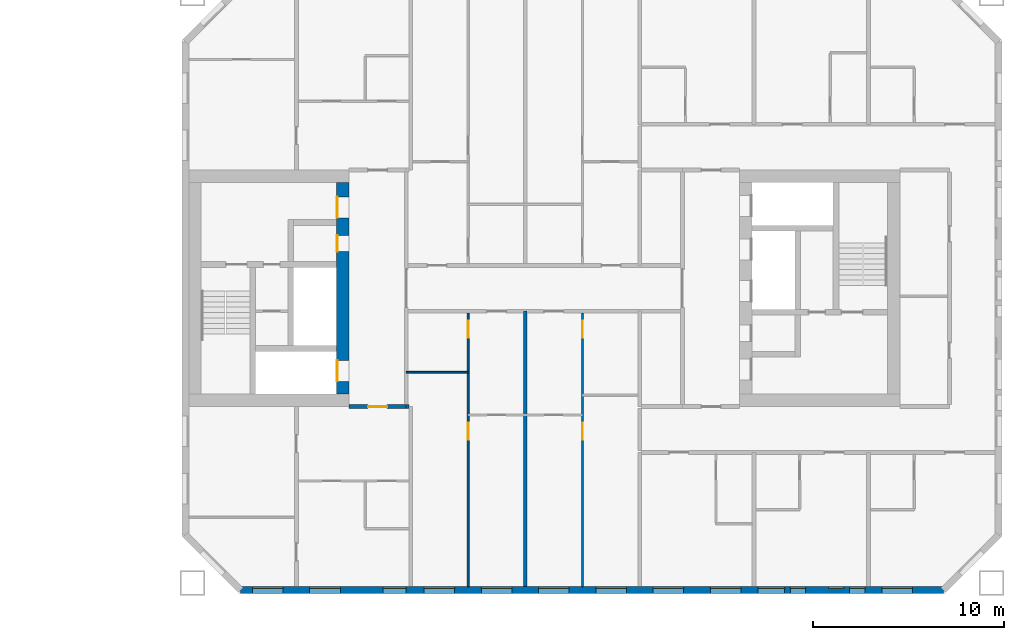
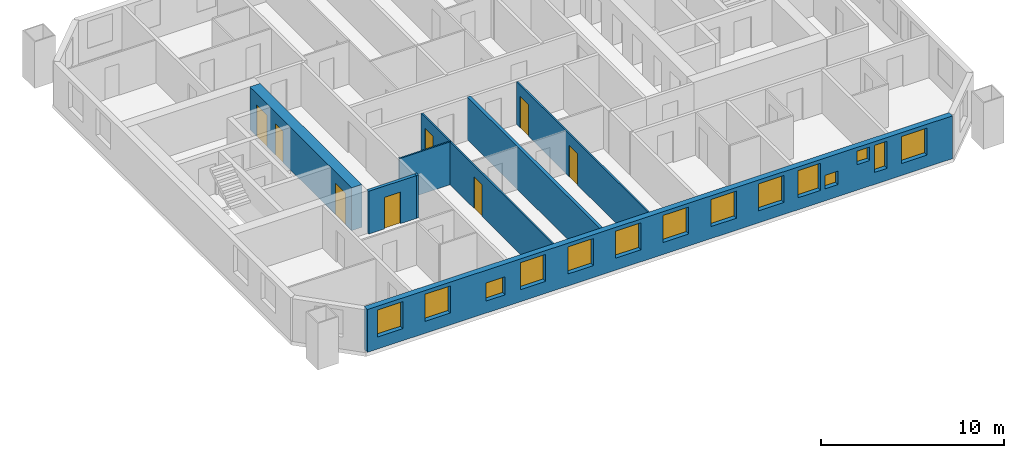
# One storey, part 10 of 17: 14 windows, 8 doors, 8 walls, 22 openings.
"""IFC4 building model written with IfcOpenShell, lengths in metres."""

from ifc_helpers import new_model, si_unit, direction, frame, frame_2d, origin, place, context, subcontext, project, spatial, rectangle, extrude, material, layer, layer_set, type_object, element, fill, save


model = new_model("IFC4")

# Units and contexts
model_context = context("Model", 3, precision=1e-05, world=origin(), true_north=direction((0.0, 1.0)))
body_context = subcontext(model_context, "Body", "Model", "MODEL_VIEW")
ifc_project = project(units=[si_unit("LENGTHUNIT", "METRE"), si_unit("AREAUNIT", "SQUARE_METRE"), si_unit("VOLUMEUNIT", "CUBIC_METRE"), si_unit("PLANEANGLEUNIT", "RADIAN"), si_unit("MASSUNIT", "GRAM", prefix="KILO")], contexts=[model_context])

# Site, building, storey
site_placement = place(None, origin())
site = spatial("IfcSite", under=ifc_project, at=site_placement, CompositionType="ELEMENT")
building_placement = place(site_placement, origin())
building = spatial("IfcBuilding", under=site, at=building_placement, Name="Tuart Gate Housing", CompositionType="ELEMENT")
storey_placement = place(building_placement, frame((0.0, 0.0, 102.60009765625)))
storey = spatial("IfcBuildingStorey", under=building, at=storey_placement, Name="L28", CompositionType="ELEMENT", Elevation=102.60009765625)

# Wall, openings, windows
ifc_material_1 = material(Name="Brick", Category="masonry")
ifc_layer_1 = layer(ifc_material_1, 0.360107421875)
ifc_layer_set_1 = layer_set([ifc_layer_1], Name="Brick pier and spandrel wall 360")
wall_type_1 = type_object("IfcWallType", Name="Brick pier and spandrel wall 360", PredefinedType="STANDARD", material=ifc_layer_set_1)
wall_1_placement = place(storey_placement, frame((134.07470703125, 54.179931640625, 0.0), z_axis=(0.0, 0.0, 1.0), x_axis=(1.0, 0.0, 0.0)))
wall_1 = element("IfcWall", 1, at=wall_1_placement, inside=storey, type_object=wall_type_1, Name="External wall B-S L28", PredefinedType="STANDARD", context=body_context, shape_type="SweptSolid", body=[
    extrude(rectangle(XDim=36.850830078125, YDim=0.360107421875, at=frame_2d((18.42529296875, 0.0))), origin(), (0.0, 0.0, 1.0), 2.849853515625),
])
opening_1_placement = place(wall_1_placement, frame((0.62548828125, 0.0, 0.800048828125)))
opening_1 = element("IfcOpeningElement", 2, at=opening_1_placement, cuts=wall_1, Name="Opening W1", PredefinedType="OPENING", context=body_context, shape_type="SweptSolid", body=[
    extrude(rectangle(XDim=1.60009765625, YDim=1.800048828125, at=frame_2d((0.800048828125, 0.89990234375))), frame((0.0, 0.18994140625, 0.0), z_axis=(0.0, -1.0, 0.0), x_axis=(1.0, 0.0, 0.0)), (0.0, 0.0, 1.0), 0.380126953125),
])
opening_2_placement = place(wall_1_placement, frame((3.62548828125, 0.0, 0.800048828125)))
opening_2 = element("IfcOpeningElement", 3, at=opening_2_placement, cuts=wall_1, Name="Opening W1", PredefinedType="OPENING", context=body_context, shape_type="SweptSolid", body=[
    extrude(rectangle(XDim=1.60009765625, YDim=1.800048828125, at=frame_2d((0.800048828125, 0.89990234375))), frame((0.0, 0.18994140625, 0.0), z_axis=(0.0, -1.0, 0.0), x_axis=(1.0, 0.0, 0.0)), (0.0, 0.0, 1.0), 0.380126953125),
])
opening_3_placement = place(wall_1_placement, frame((7.475341796875, 0.0, 0.800048828125)))
opening_3 = element("IfcOpeningElement", 4, at=opening_3_placement, cuts=wall_1, Name="Opening W1N", PredefinedType="OPENING", context=body_context, shape_type="SweptSolid", body=[
    extrude(rectangle(XDim=1.199951171875, YDim=1.199951171875, at=frame_2d((0.60009765625, 0.60009765625))), frame((0.0, 0.18994140625, 0.0), z_axis=(0.0, -1.0, 0.0), x_axis=(1.0, 0.0, 0.0)), (0.0, 0.0, 1.0), 0.380126953125),
])
opening_4_placement = place(wall_1_placement, frame((9.62548828125, 0.0, 0.800048828125)))
opening_4 = element("IfcOpeningElement", 5, at=opening_4_placement, cuts=wall_1, Name="Opening W1", PredefinedType="OPENING", context=body_context, shape_type="SweptSolid", body=[
    extrude(rectangle(XDim=1.60009765625, YDim=1.800048828125, at=frame_2d((0.800048828125, 0.89990234375))), frame((0.0, 0.18994140625, 0.0), z_axis=(0.0, -1.0, 0.0), x_axis=(1.0, 0.0, 0.0)), (0.0, 0.0, 1.0), 0.380126953125),
])
opening_5_placement = place(wall_1_placement, frame((12.62548828125, 0.0, 0.800048828125)))
opening_5 = element("IfcOpeningElement", 6, at=opening_5_placement, cuts=wall_1, Name="Opening W1", PredefinedType="OPENING", context=body_context, shape_type="SweptSolid", body=[
    extrude(rectangle(XDim=1.60009765625, YDim=1.800048828125, at=frame_2d((0.800048828125, 0.89990234375))), frame((0.0, 0.18994140625, 0.0), z_axis=(0.0, -1.0, 0.0), x_axis=(1.0, 0.0, 0.0)), (0.0, 0.0, 1.0), 0.380126953125),
])
opening_6_placement = place(wall_1_placement, frame((15.62548828125, 0.0, 0.800048828125)))
opening_6 = element("IfcOpeningElement", 7, at=opening_6_placement, cuts=wall_1, Name="Opening W1", PredefinedType="OPENING", context=body_context, shape_type="SweptSolid", body=[
    extrude(rectangle(XDim=1.60009765625, YDim=1.800048828125, at=frame_2d((0.800048828125, 0.89990234375))), frame((0.0, 0.18994140625, 0.0), z_axis=(0.0, -1.0, 0.0), x_axis=(1.0, 0.0, 0.0)), (0.0, 0.0, 1.0), 0.380126953125),
])
opening_7_placement = place(wall_1_placement, frame((18.62548828125, 0.0, 0.800048828125)))
opening_7 = element("IfcOpeningElement", 8, at=opening_7_placement, cuts=wall_1, Name="Opening W1", PredefinedType="OPENING", context=body_context, shape_type="SweptSolid", body=[
    extrude(rectangle(XDim=1.60009765625, YDim=1.800048828125, at=frame_2d((0.800048828125, 0.89990234375))), frame((0.0, 0.18994140625, 0.0), z_axis=(0.0, -1.0, 0.0), x_axis=(1.0, 0.0, 0.0)), (0.0, 0.0, 1.0), 0.380126953125),
])
opening_8_placement = place(wall_1_placement, frame((21.62548828125, 0.0, 0.800048828125)))
opening_8 = element("IfcOpeningElement", 9, at=opening_8_placement, cuts=wall_1, Name="Opening W1", PredefinedType="OPENING", context=body_context, shape_type="SweptSolid", body=[
    extrude(rectangle(XDim=1.60009765625, YDim=1.800048828125, at=frame_2d((0.800048828125, 0.89990234375))), frame((0.0, 0.18994140625, 0.0), z_axis=(0.0, -1.0, 0.0), x_axis=(1.0, 0.0, 0.0)), (0.0, 0.0, 1.0), 0.380126953125),
])
opening_9_placement = place(wall_1_placement, frame((24.62548828125, 0.0, 0.800048828125)))
opening_9 = element("IfcOpeningElement", 10, at=opening_9_placement, cuts=wall_1, Name="Opening W1", PredefinedType="OPENING", context=body_context, shape_type="SweptSolid", body=[
    extrude(rectangle(XDim=1.60009765625, YDim=1.800048828125, at=frame_2d((0.800048828125, 0.89990234375))), frame((0.0, 0.18994140625, 0.0), z_axis=(0.0, -1.0, 0.0), x_axis=(1.0, 0.0, 0.0)), (0.0, 0.0, 1.0), 0.380126953125),
])
opening_10_placement = place(wall_1_placement, frame((27.12548828125, 0.0, 0.800048828125)))
opening_10 = element("IfcOpeningElement", 11, at=opening_10_placement, cuts=wall_1, Name="Opening W1A", PredefinedType="OPENING", context=body_context, shape_type="SweptSolid", body=[
    extrude(rectangle(XDim=1.39990234375, YDim=1.800048828125, at=frame_2d((0.699951171875, 0.89990234375))), frame((0.0, 0.18994140625, 0.0), z_axis=(0.0, -1.0, 0.0), x_axis=(1.0, 0.0, 0.0)), (0.0, 0.0, 1.0), 0.380126953125),
])
opening_11_placement = place(wall_1_placement, frame((28.825439453125, 0.0, 0.800048828125)))
opening_11 = element("IfcOpeningElement", 12, at=opening_11_placement, cuts=wall_1, Name="Opening W1V", PredefinedType="OPENING", context=body_context, shape_type="SweptSolid", body=[
    extrude(rectangle(XDim=0.800048828125, YDim=0.89990234375, at=frame_2d((0.39990234375, 0.449951171875))), frame((0.0, 0.18994140625, 0.0), z_axis=(0.0, -1.0, 0.0), x_axis=(1.0, 0.0, 0.0)), (0.0, 0.0, 1.0), 0.380126953125),
])
opening_12_placement = place(wall_1_placement, frame((33.62548828125, 0.0, 0.800048828125)))
opening_12 = element("IfcOpeningElement", 13, at=opening_12_placement, cuts=wall_1, Name="Opening W1", PredefinedType="OPENING", context=body_context, shape_type="SweptSolid", body=[
    extrude(rectangle(XDim=1.60009765625, YDim=1.800048828125, at=frame_2d((0.800048828125, 0.89990234375))), frame((0.0, 0.18994140625, 0.0), z_axis=(0.0, -1.0, 0.0), x_axis=(1.0, 0.0, 0.0)), (0.0, 0.0, 1.0), 0.380126953125),
])
opening_13_placement = place(wall_1_placement, frame((30.825439453125, 0.0, 1.699951171875)))
opening_13 = element("IfcOpeningElement", 14, at=opening_13_placement, cuts=wall_1, Name="Opening W1V", PredefinedType="OPENING", context=body_context, shape_type="SweptSolid", body=[
    extrude(rectangle(XDim=0.800048828125, YDim=0.89990234375, at=frame_2d((0.39990234375, 0.449951171875))), frame((0.0, 0.18994140625, 0.0), z_axis=(0.0, -1.0, 0.0), x_axis=(1.0, 0.0, 0.0)), (0.0, 0.0, 1.0), 0.380126953125),
])
opening_14_placement = place(wall_1_placement, frame((31.92529296875, 0.0, 0.800048828125)))
opening_14 = element("IfcOpeningElement", 15, at=opening_14_placement, cuts=wall_1, Name="Opening W1D", PredefinedType="OPENING", context=body_context, shape_type="SweptSolid", body=[
    extrude(rectangle(XDim=0.800048828125, YDim=1.800048828125, at=frame_2d((0.39990234375, 0.89990234375))), frame((0.0, 0.18994140625, 0.0), z_axis=(0.0, -1.0, 0.0), x_axis=(1.0, 0.0, 0.0)), (0.0, 0.0, 1.0), 0.380126953125),
])
ifc_material_2 = material(Name="Aluminium frame with clear glass", Category="aluminium")
window_type_1 = type_object("IfcWindowType", Name="Punched window 1200 x 1200", PartitioningType="SINGLE_PANEL", PredefinedType="WINDOW", material=ifc_material_2)
window_1_placement = place(opening_3_placement, origin())
window_1 = element("IfcWindow", 16, at=window_1_placement, inside=storey, type_object=window_type_1, Name="Window W1N", OverallHeight=1.199951171875, OverallWidth=1.199951171875, PartitioningType="SINGLE_PANEL", PredefinedType="WINDOW", context=body_context, shape_type="SweptSolid", body=[
    extrude(rectangle(XDim=1.199951171875, YDim=1.199951171875, at=frame_2d((0.60009765625, 0.60009765625))), frame((0.0, 0.150146484375, 0.0), z_axis=(0.0, -1.0, 0.0), x_axis=(1.0, 0.0, 0.0)), (0.0, 0.0, 1.0), 0.06005859375),
])
fill(opening_3, window_1)
ifc_material_3 = material(Name="Aluminium frame with clear glass", Category="aluminium")
window_type_2 = type_object("IfcWindowType", Name="Punched window 1400 x 1800", PartitioningType="SINGLE_PANEL", PredefinedType="WINDOW", material=ifc_material_3)
window_2_placement = place(opening_10_placement, origin())
window_2 = element("IfcWindow", 17, at=window_2_placement, inside=storey, type_object=window_type_2, Name="Window W1A", OverallHeight=1.800048828125, OverallWidth=1.39990234375, PartitioningType="SINGLE_PANEL", PredefinedType="WINDOW", context=body_context, shape_type="SweptSolid", body=[
    extrude(rectangle(XDim=1.39990234375, YDim=1.800048828125, at=frame_2d((0.699951171875, 0.89990234375))), frame((0.0, 0.150146484375, 0.0), z_axis=(0.0, -1.0, 0.0), x_axis=(1.0, 0.0, 0.0)), (0.0, 0.0, 1.0), 0.06005859375),
])
fill(opening_10, window_2)
ifc_material_4 = material(Name="Aluminium frame with clear glass", Category="aluminium")
window_type_3 = type_object("IfcWindowType", Name="Punched window 1600 x 1800", PartitioningType="SINGLE_PANEL", PredefinedType="WINDOW", material=ifc_material_4)
window_3_placement = place(opening_1_placement, origin())
window_3 = element("IfcWindow", 18, at=window_3_placement, inside=storey, type_object=window_type_3, Name="Window W1", OverallHeight=1.800048828125, OverallWidth=1.60009765625, PartitioningType="SINGLE_PANEL", PredefinedType="WINDOW", context=body_context, shape_type="SweptSolid", body=[
    extrude(rectangle(XDim=1.60009765625, YDim=1.800048828125, at=frame_2d((0.800048828125, 0.89990234375))), frame((0.0, 0.150146484375, 0.0), z_axis=(0.0, -1.0, 0.0), x_axis=(1.0, 0.0, 0.0)), (0.0, 0.0, 1.0), 0.06005859375),
])
fill(opening_1, window_3)
window_4_placement = place(opening_2_placement, origin())
window_4 = element("IfcWindow", 19, at=window_4_placement, inside=storey, type_object=window_type_3, Name="Window W1", OverallHeight=1.800048828125, OverallWidth=1.60009765625, PartitioningType="SINGLE_PANEL", PredefinedType="WINDOW", context=body_context, shape_type="SweptSolid", body=[
    extrude(rectangle(XDim=1.60009765625, YDim=1.800048828125, at=frame_2d((0.800048828125, 0.89990234375))), frame((0.0, 0.150146484375, 0.0), z_axis=(0.0, -1.0, 0.0), x_axis=(1.0, 0.0, 0.0)), (0.0, 0.0, 1.0), 0.06005859375),
])
fill(opening_2, window_4)
window_5_placement = place(opening_4_placement, origin())
window_5 = element("IfcWindow", 20, at=window_5_placement, inside=storey, type_object=window_type_3, Name="Window W1", OverallHeight=1.800048828125, OverallWidth=1.60009765625, PartitioningType="SINGLE_PANEL", PredefinedType="WINDOW", context=body_context, shape_type="SweptSolid", body=[
    extrude(rectangle(XDim=1.60009765625, YDim=1.800048828125, at=frame_2d((0.800048828125, 0.89990234375))), frame((0.0, 0.150146484375, 0.0), z_axis=(0.0, -1.0, 0.0), x_axis=(1.0, 0.0, 0.0)), (0.0, 0.0, 1.0), 0.06005859375),
])
fill(opening_4, window_5)
window_6_placement = place(opening_5_placement, origin())
window_6 = element("IfcWindow", 21, at=window_6_placement, inside=storey, type_object=window_type_3, Name="Window W1", OverallHeight=1.800048828125, OverallWidth=1.60009765625, PartitioningType="SINGLE_PANEL", PredefinedType="WINDOW", context=body_context, shape_type="SweptSolid", body=[
    extrude(rectangle(XDim=1.60009765625, YDim=1.800048828125, at=frame_2d((0.800048828125, 0.89990234375))), frame((0.0, 0.150146484375, 0.0), z_axis=(0.0, -1.0, 0.0), x_axis=(1.0, 0.0, 0.0)), (0.0, 0.0, 1.0), 0.06005859375),
])
fill(opening_5, window_6)
window_7_placement = place(opening_6_placement, origin())
window_7 = element("IfcWindow", 22, at=window_7_placement, inside=storey, type_object=window_type_3, Name="Window W1", OverallHeight=1.800048828125, OverallWidth=1.60009765625, PartitioningType="SINGLE_PANEL", PredefinedType="WINDOW", context=body_context, shape_type="SweptSolid", body=[
    extrude(rectangle(XDim=1.60009765625, YDim=1.800048828125, at=frame_2d((0.800048828125, 0.89990234375))), frame((0.0, 0.150146484375, 0.0), z_axis=(0.0, -1.0, 0.0), x_axis=(1.0, 0.0, 0.0)), (0.0, 0.0, 1.0), 0.06005859375),
])
fill(opening_6, window_7)
window_8_placement = place(opening_7_placement, origin())
window_8 = element("IfcWindow", 23, at=window_8_placement, inside=storey, type_object=window_type_3, Name="Window W1", OverallHeight=1.800048828125, OverallWidth=1.60009765625, PartitioningType="SINGLE_PANEL", PredefinedType="WINDOW", context=body_context, shape_type="SweptSolid", body=[
    extrude(rectangle(XDim=1.60009765625, YDim=1.800048828125, at=frame_2d((0.800048828125, 0.89990234375))), frame((0.0, 0.150146484375, 0.0), z_axis=(0.0, -1.0, 0.0), x_axis=(1.0, 0.0, 0.0)), (0.0, 0.0, 1.0), 0.06005859375),
])
fill(opening_7, window_8)
window_9_placement = place(opening_8_placement, origin())
window_9 = element("IfcWindow", 24, at=window_9_placement, inside=storey, type_object=window_type_3, Name="Window W1", OverallHeight=1.800048828125, OverallWidth=1.60009765625, PartitioningType="SINGLE_PANEL", PredefinedType="WINDOW", context=body_context, shape_type="SweptSolid", body=[
    extrude(rectangle(XDim=1.60009765625, YDim=1.800048828125, at=frame_2d((0.800048828125, 0.89990234375))), frame((0.0, 0.150146484375, 0.0), z_axis=(0.0, -1.0, 0.0), x_axis=(1.0, 0.0, 0.0)), (0.0, 0.0, 1.0), 0.06005859375),
])
fill(opening_8, window_9)
window_10_placement = place(opening_9_placement, origin())
window_10 = element("IfcWindow", 25, at=window_10_placement, inside=storey, type_object=window_type_3, Name="Window W1", OverallHeight=1.800048828125, OverallWidth=1.60009765625, PartitioningType="SINGLE_PANEL", PredefinedType="WINDOW", context=body_context, shape_type="SweptSolid", body=[
    extrude(rectangle(XDim=1.60009765625, YDim=1.800048828125, at=frame_2d((0.800048828125, 0.89990234375))), frame((0.0, 0.150146484375, 0.0), z_axis=(0.0, -1.0, 0.0), x_axis=(1.0, 0.0, 0.0)), (0.0, 0.0, 1.0), 0.06005859375),
])
fill(opening_9, window_10)
window_11_placement = place(opening_12_placement, origin())
window_11 = element("IfcWindow", 26, at=window_11_placement, inside=storey, type_object=window_type_3, Name="Window W1", OverallHeight=1.800048828125, OverallWidth=1.60009765625, PartitioningType="SINGLE_PANEL", PredefinedType="WINDOW", context=body_context, shape_type="SweptSolid", body=[
    extrude(rectangle(XDim=1.60009765625, YDim=1.800048828125, at=frame_2d((0.800048828125, 0.89990234375))), frame((0.0, 0.150146484375, 0.0), z_axis=(0.0, -1.0, 0.0), x_axis=(1.0, 0.0, 0.0)), (0.0, 0.0, 1.0), 0.06005859375),
])
fill(opening_12, window_11)
ifc_material_5 = material(Name="Aluminium frame with clear glass", Category="aluminium")
window_type_4 = type_object("IfcWindowType", Name="Punched window 800 x 1800", PartitioningType="SINGLE_PANEL", PredefinedType="WINDOW", material=ifc_material_5)
window_12_placement = place(opening_14_placement, origin())
window_12 = element("IfcWindow", 27, at=window_12_placement, inside=storey, type_object=window_type_4, Name="Window W1D", OverallHeight=1.800048828125, OverallWidth=0.800048828125, PartitioningType="SINGLE_PANEL", PredefinedType="WINDOW", context=body_context, shape_type="SweptSolid", body=[
    extrude(rectangle(XDim=0.800048828125, YDim=1.800048828125, at=frame_2d((0.39990234375, 0.89990234375))), frame((0.0, 0.150146484375, 0.0), z_axis=(0.0, -1.0, 0.0), x_axis=(1.0, 0.0, 0.0)), (0.0, 0.0, 1.0), 0.06005859375),
])
fill(opening_14, window_12)
ifc_material_6 = material(Name="Aluminium frame with clear glass", Category="aluminium")
window_type_5 = type_object("IfcWindowType", Name="Punched window 800 x 900", PartitioningType="SINGLE_PANEL", PredefinedType="WINDOW", material=ifc_material_6)
window_13_placement = place(opening_11_placement, origin())
window_13 = element("IfcWindow", 28, at=window_13_placement, inside=storey, type_object=window_type_5, Name="Window W1V", OverallHeight=0.89990234375, OverallWidth=0.800048828125, PartitioningType="SINGLE_PANEL", PredefinedType="WINDOW", context=body_context, shape_type="SweptSolid", body=[
    extrude(rectangle(XDim=0.800048828125, YDim=0.89990234375, at=frame_2d((0.39990234375, 0.449951171875))), frame((0.0, 0.150146484375, 0.0), z_axis=(0.0, -1.0, 0.0), x_axis=(1.0, 0.0, 0.0)), (0.0, 0.0, 1.0), 0.06005859375),
])
fill(opening_11, window_13)
window_14_placement = place(opening_13_placement, origin())
window_14 = element("IfcWindow", 29, at=window_14_placement, inside=storey, type_object=window_type_5, Name="Window W1V", OverallHeight=0.89990234375, OverallWidth=0.800048828125, PartitioningType="SINGLE_PANEL", PredefinedType="WINDOW", context=body_context, shape_type="SweptSolid", body=[
    extrude(rectangle(XDim=0.800048828125, YDim=0.89990234375, at=frame_2d((0.39990234375, 0.449951171875))), frame((0.0, 0.150146484375, 0.0), z_axis=(0.0, -1.0, 0.0), x_axis=(1.0, 0.0, 0.0)), (0.0, 0.0, 1.0), 0.06005859375),
])
fill(opening_13, window_14)

# Wall, openings, doors
ifc_material_7 = material(Name="Concrete C50", Category="concrete")
ifc_layer_2 = layer(ifc_material_7, 0.64990234375)
ifc_layer_set_2 = layer_set([ifc_layer_2], Name="Core wall 650 C50")
wall_type_2 = type_object("IfcWallType", Name="Core wall 650 C50", PredefinedType="SHEAR", material=ifc_layer_set_2)
wall_2_placement = place(storey_placement, frame((139.43505859375, 64.449951171875, 0.0), z_axis=(0.0, 0.0, 1.0), x_axis=(0.0, 1.0, 0.0)))
wall_2 = element("IfcWall", 30, at=wall_2_placement, inside=storey, type_object=wall_type_2, Name="Core wall BG front", PredefinedType="SHEAR", context=body_context, shape_type="SweptSolid", body=[
    extrude(rectangle(XDim=11.10009765625, YDim=0.64990234375, at=frame_2d((5.550048828125, 0.0))), origin(), (0.0, 0.0, 1.0), 2.849853515625),
])
opening_15_placement = place(wall_2_placement, frame((0.675048828125, 0.0, 0.0)))
opening_15 = element("IfcOpeningElement", 31, at=opening_15_placement, cuts=wall_2, Name="Opening LD-FB1", PredefinedType="OPENING", context=body_context, shape_type="SweptSolid", body=[
    extrude(rectangle(XDim=1.10009765625, YDim=2.10009765625, at=frame_2d((0.550048828125, 1.050048828125))), frame((0.0, 0.3349609375, 0.0), z_axis=(0.0, -1.0, 0.0), x_axis=(1.0, 0.0, 0.0)), (0.0, 0.0, 1.0), 0.669921875),
])
opening_16_placement = place(wall_2_placement, frame((9.25, 0.0, 0.0)))
opening_16 = element("IfcOpeningElement", 32, at=opening_16_placement, cuts=wall_2, Name="Opening D1147", PredefinedType="OPENING", context=body_context, shape_type="SweptSolid", body=[
    extrude(rectangle(XDim=1.10009765625, YDim=2.10009765625, at=frame_2d((0.550048828125, 1.050048828125))), frame((0.0, 0.3349609375, 0.0), z_axis=(0.0, -1.0, 0.0), x_axis=(1.0, 0.0, 0.0)), (0.0, 0.0, 1.0), 0.669921875),
])
opening_17_placement = place(wall_2_placement, frame((7.47509765625, 0.0, 0.0)))
opening_17 = element("IfcOpeningElement", 33, at=opening_17_placement, cuts=wall_2, Name="Opening D1148", PredefinedType="OPENING", context=body_context, shape_type="SweptSolid", body=[
    extrude(rectangle(XDim=0.85009765625, YDim=2.10009765625, at=frame_2d((0.425048828125, 1.050048828125))), frame((0.0, 0.3349609375, 0.0), z_axis=(0.0, -1.0, 0.0), x_axis=(1.0, 0.0, 0.0)), (0.0, 0.0, 1.0), 0.669921875),
])
ifc_material_8 = material(Name="Stainless steel", Category="steel")
door_type_1 = type_object("IfcDoorType", Name="Landing door 1100 x 2100", OperationType="DOUBLE_DOOR_SLIDING", PredefinedType="DOOR", material=ifc_material_8)
door_1_placement = place(opening_15_placement, origin())
door_1 = element("IfcDoor", 34, at=door_1_placement, inside=storey, type_object=door_type_1, Name="Lift landing door FB1", OperationType="DOUBLE_DOOR_SLIDING", OverallHeight=2.10009765625, OverallWidth=1.10009765625, PredefinedType="DOOR", context=body_context, shape_type="SweptSolid", body=[
    extrude(rectangle(XDim=1.10009765625, YDim=2.10009765625, at=frame_2d((0.550048828125, 1.050048828125))), frame((0.0, 0.31005859375, 0.0), z_axis=(0.0, -1.0, 0.0), x_axis=(1.0, 0.0, 0.0)), (0.0, 0.0, 1.0), 0.050048828125),
])
fill(opening_15, door_1)
ifc_material_9 = material(Name="Steel fire door", Category="steel")
door_type_2 = type_object("IfcDoorType", Name="Lobby door 1100 x 2100", OperationType="SINGLE_SWING_LEFT", PredefinedType="DOOR", material=ifc_material_9)
door_2_placement = place(opening_16_placement, origin())
door_2 = element("IfcDoor", 35, at=door_2_placement, inside=storey, type_object=door_type_2, Name="Lobby entry door BG.EN", OperationType="SINGLE_SWING_LEFT", OverallHeight=2.10009765625, OverallWidth=1.10009765625, PredefinedType="DOOR", context=body_context, shape_type="SweptSolid", body=[
    extrude(rectangle(XDim=1.10009765625, YDim=2.10009765625, at=frame_2d((0.550048828125, 1.050048828125))), frame((0.0, 0.31005859375, 0.0), z_axis=(0.0, -1.0, 0.0), x_axis=(1.0, 0.0, 0.0)), (0.0, 0.0, 1.0), 0.050048828125),
])
fill(opening_16, door_2)
ifc_material_10 = material(Name="Steel fire door", Category="steel")
door_type_3 = type_object("IfcDoorType", Name="Service door 850 x 2100", OperationType="SINGLE_SWING_LEFT", PredefinedType="DOOR", material=ifc_material_10)
door_3_placement = place(opening_17_placement, origin())
door_3 = element("IfcDoor", 36, at=door_3_placement, inside=storey, type_object=door_type_3, Name="Service room door BG.T1", OperationType="SINGLE_SWING_LEFT", OverallHeight=2.10009765625, OverallWidth=0.85009765625, PredefinedType="DOOR", context=body_context, shape_type="SweptSolid", body=[
    extrude(rectangle(XDim=0.85009765625, YDim=2.10009765625, at=frame_2d((0.425048828125, 1.050048828125))), frame((0.0, 0.31005859375, 0.0), z_axis=(0.0, -1.0, 0.0), x_axis=(1.0, 0.0, 0.0)), (0.0, 0.0, 1.0), 0.050048828125),
])
fill(opening_17, door_3)

# Wall, opening, door
ifc_material_11 = material(Name="Concrete masonry 15 MPa", Category="masonry")
ifc_layer_3 = layer(ifc_material_11, 0.199951171875)
ifc_layer_set_3 = layer_set([ifc_layer_3], Name="Enclosure wall masonry 200")
wall_type_3 = type_object("IfcWallType", Name="Enclosure wall masonry 200", PredefinedType="PARTITIONING", material=ifc_layer_set_3)
wall_3_placement = place(storey_placement, frame((139.760009765625, 63.800048828125, 0.0), z_axis=(0.0, 0.0, 1.0), x_axis=(1.0, 0.0, 0.0)))
wall_3 = element("IfcWall", 37, at=wall_3_placement, inside=storey, type_object=wall_type_3, Name="Enclosure wall masonry 200", PredefinedType="PARTITIONING", context=body_context, shape_type="SweptSolid", body=[
    extrude(rectangle(XDim=3.0, YDim=0.199951171875, at=frame_2d((1.5, 0.0))), origin(), (0.0, 0.0, 1.0), 2.849853515625),
])
opening_18_placement = place(wall_3_placement, frame((1.0, 0.0, 0.0)))
opening_18 = element("IfcOpeningElement", 38, at=opening_18_placement, cuts=wall_3, Name="Opening D1160", PredefinedType="OPENING", context=body_context, shape_type="SweptSolid", body=[
    extrude(rectangle(XDim=1.0, YDim=2.10009765625, at=frame_2d((0.5, 1.050048828125))), frame((0.0, 0.10986328125, 0.0), z_axis=(0.0, -1.0, 0.0), x_axis=(1.0, 0.0, 0.0)), (0.0, 0.0, 1.0), 0.219970703125),
])
ifc_material_12 = material(Name="Timber door leaf in steel frame", Category="steel")
door_type_4 = type_object("IfcDoorType", Name="Flat entrance door 1000", OperationType="SINGLE_SWING_LEFT", PredefinedType="DOOR", material=ifc_material_12)
door_4_placement = place(opening_18_placement, frame((1.0, 0.0, 0.0), z_axis=(0.0, 0.0, 1.0), x_axis=(-1.0, 0.0, 0.0)))
door_4 = element("IfcDoor", 39, at=door_4_placement, inside=storey, type_object=door_type_4, Name="Flat entrance door", OperationType="SINGLE_SWING_LEFT", OverallHeight=2.10009765625, OverallWidth=1.0, PredefinedType="DOOR", context=body_context, shape_type="SweptSolid", body=[
    extrude(rectangle(XDim=1.0, YDim=2.10009765625, at=frame_2d((0.5, 1.050048828125))), frame((0.0, 0.025146484375, 0.0), z_axis=(0.0, -1.0, 0.0), x_axis=(1.0, 0.0, 0.0)), (0.0, 0.0, 1.0), 0.050048828125),
])
fill(opening_18, door_4)

# Wall
ifc_material_13 = material(Name="Gypsum board on steel studs", Category="steel")
ifc_layer_4 = layer(ifc_material_13, 0.10009765625)
ifc_layer_set_4 = layer_set([ifc_layer_4], Name="Partition 100")
wall_type_4 = type_object("IfcWallType", Name="Partition 100", PredefinedType="PARTITIONING", material=ifc_layer_set_4)
wall_4_placement = place(storey_placement, frame((142.760009765625, 65.60009765625, 0.0), z_axis=(0.0, 0.0, 1.0), x_axis=(1.0, 0.0, 0.0)))
element("IfcWall", 40, at=wall_4_placement, inside=storey, type_object=wall_type_4, Name="Partition 100", PredefinedType="PARTITIONING", context=body_context, shape_type="SweptSolid", body=[
    extrude(rectangle(XDim=3.239990234375, YDim=0.10009765625, at=frame_2d((1.6201171875, 0.0))), origin(), (0.0, 0.0, 1.0), 2.849853515625),
])

# Wall, openings, doors
wall_5_placement = place(storey_placement, frame((146.0, 54.360107421875, 0.0), z_axis=(0.0, 0.0, 1.0), x_axis=(0.0, 1.0, 0.0)))
wall_5 = element("IfcWall", 41, at=wall_5_placement, inside=storey, type_object=wall_type_4, Name="Partition 100", PredefinedType="PARTITIONING", context=body_context, shape_type="SweptSolid", body=[
    extrude(rectangle(XDim=14.33984375, YDim=0.10009765625, at=frame_2d((7.169921875, 0.0))), origin(), (0.0, 0.0, 1.0), 2.849853515625),
])
opening_19_placement = place(wall_5_placement, frame((7.699951171875, 0.0, 0.0)))
opening_19 = element("IfcOpeningElement", 42, at=opening_19_placement, cuts=wall_5, Name="Opening D1165", PredefinedType="OPENING", context=body_context, shape_type="SweptSolid", body=[
    extrude(rectangle(XDim=0.89990234375, YDim=2.10009765625, at=frame_2d((0.449951171875, 1.050048828125))), frame((0.0, 0.06005859375, 0.0), z_axis=(0.0, -1.0, 0.0), x_axis=(1.0, 0.0, 0.0)), (0.0, 0.0, 1.0), 0.1201171875),
])
opening_20_placement = place(wall_5_placement, frame((13.0400390625, 0.0, 0.0)))
opening_20 = element("IfcOpeningElement", 43, at=opening_20_placement, cuts=wall_5, Name="Opening D1164", PredefinedType="OPENING", context=body_context, shape_type="SweptSolid", body=[
    extrude(rectangle(XDim=0.89990234375, YDim=2.10009765625, at=frame_2d((0.449951171875, 1.050048828125))), frame((0.0, 0.06005859375, 0.0), z_axis=(0.0, -1.0, 0.0), x_axis=(1.0, 0.0, 0.0)), (0.0, 0.0, 1.0), 0.1201171875),
])
ifc_material_14 = material(Name="Timber door leaf in steel frame", Category="steel")
door_type_5 = type_object("IfcDoorType", Name="Bathroom door 900 RH", OperationType="SINGLE_SWING_RIGHT", PredefinedType="DOOR", material=ifc_material_14)
door_5_placement = place(opening_20_placement, origin())
door_5 = element("IfcDoor", 44, at=door_5_placement, inside=storey, type_object=door_type_5, Name="Bathroom door", OperationType="SINGLE_SWING_RIGHT", OverallHeight=2.10009765625, OverallWidth=0.89990234375, PredefinedType="DOOR", context=body_context, shape_type="SweptSolid", body=[
    extrude(rectangle(XDim=0.89990234375, YDim=2.10009765625, at=frame_2d((0.449951171875, 1.050048828125))), frame((0.0, 0.02490234375, 0.0), z_axis=(0.0, -1.0, 0.0), x_axis=(1.0, 0.0, 0.0)), (0.0, 0.0, 1.0), 0.050048828125),
])
fill(opening_20, door_5)
ifc_material_15 = material(Name="Timber door leaf in steel frame", Category="steel")
door_type_6 = type_object("IfcDoorType", Name="Internal door 900 RH", OperationType="SINGLE_SWING_RIGHT", PredefinedType="DOOR", material=ifc_material_15)
door_6_placement = place(opening_19_placement, origin())
door_6 = element("IfcDoor", 45, at=door_6_placement, inside=storey, type_object=door_type_6, Name="Internal door", OperationType="SINGLE_SWING_RIGHT", OverallHeight=2.10009765625, OverallWidth=0.89990234375, PredefinedType="DOOR", context=body_context, shape_type="SweptSolid", body=[
    extrude(rectangle(XDim=0.89990234375, YDim=2.10009765625, at=frame_2d((0.449951171875, 1.050048828125))), frame((0.0, 0.02490234375, 0.0), z_axis=(0.0, -1.0, 0.0), x_axis=(1.0, 0.0, 0.0)), (0.0, 0.0, 1.0), 0.050048828125),
])
fill(opening_19, door_6)

wall_6_placement = place(storey_placement, frame((152.0, 54.360107421875, 0.0), z_axis=(0.0, 0.0, 1.0), x_axis=(0.0, 1.0, 0.0)))
wall_6 = element("IfcWall", 46, at=wall_6_placement, inside=storey, type_object=wall_type_4, Name="Partition 100", PredefinedType="PARTITIONING", context=body_context, shape_type="SweptSolid", body=[
    extrude(rectangle(XDim=14.33984375, YDim=0.10009765625, at=frame_2d((7.169921875, 0.0))), origin(), (0.0, 0.0, 1.0), 2.849853515625),
])
opening_21_placement = place(wall_6_placement, frame((7.699951171875, 0.0, 0.0)))
opening_21 = element("IfcOpeningElement", 47, at=opening_21_placement, cuts=wall_6, Name="Opening D1167", PredefinedType="OPENING", context=body_context, shape_type="SweptSolid", body=[
    extrude(rectangle(XDim=0.89990234375, YDim=2.10009765625, at=frame_2d((0.449951171875, 1.050048828125))), frame((0.0, 0.06005859375, 0.0), z_axis=(0.0, -1.0, 0.0), x_axis=(1.0, 0.0, 0.0)), (0.0, 0.0, 1.0), 0.1201171875),
])
opening_22_placement = place(wall_6_placement, frame((13.0400390625, 0.0, 0.0)))
opening_22 = element("IfcOpeningElement", 48, at=opening_22_placement, cuts=wall_6, Name="Opening D1166", PredefinedType="OPENING", context=body_context, shape_type="SweptSolid", body=[
    extrude(rectangle(XDim=0.89990234375, YDim=2.10009765625, at=frame_2d((0.449951171875, 1.050048828125))), frame((0.0, 0.06005859375, 0.0), z_axis=(0.0, -1.0, 0.0), x_axis=(1.0, 0.0, 0.0)), (0.0, 0.0, 1.0), 0.1201171875),
])
ifc_material_16 = material(Name="Timber door leaf in steel frame", Category="steel")
door_type_7 = type_object("IfcDoorType", Name="Bathroom door 900", OperationType="SINGLE_SWING_LEFT", PredefinedType="DOOR", material=ifc_material_16)
door_7_placement = place(opening_22_placement, frame((0.89990234375, 0.0, 0.0), z_axis=(0.0, 0.0, 1.0), x_axis=(-1.0, 0.0, 0.0)))
door_7 = element("IfcDoor", 49, at=door_7_placement, inside=storey, type_object=door_type_7, Name="Bathroom door", OperationType="SINGLE_SWING_LEFT", OverallHeight=2.10009765625, OverallWidth=0.89990234375, PredefinedType="DOOR", context=body_context, shape_type="SweptSolid", body=[
    extrude(rectangle(XDim=0.89990234375, YDim=2.10009765625, at=frame_2d((0.449951171875, 1.050048828125))), frame((0.0, 0.025146484375, 0.0), z_axis=(0.0, -1.0, 0.0), x_axis=(1.0, 0.0, 0.0)), (0.0, 0.0, 1.0), 0.050048828125),
])
fill(opening_22, door_7)
ifc_material_17 = material(Name="Timber door leaf in steel frame", Category="steel")
door_type_8 = type_object("IfcDoorType", Name="Internal door 900", OperationType="SINGLE_SWING_LEFT", PredefinedType="DOOR", material=ifc_material_17)
door_8_placement = place(opening_21_placement, frame((0.89990234375, 0.0, 0.0), z_axis=(0.0, 0.0, 1.0), x_axis=(-1.0, 0.0, 0.0)))
door_8 = element("IfcDoor", 50, at=door_8_placement, inside=storey, type_object=door_type_8, Name="Internal door", OperationType="SINGLE_SWING_LEFT", OverallHeight=2.10009765625, OverallWidth=0.89990234375, PredefinedType="DOOR", context=body_context, shape_type="SweptSolid", body=[
    extrude(rectangle(XDim=0.89990234375, YDim=2.10009765625, at=frame_2d((0.449951171875, 1.050048828125))), frame((0.0, 0.025146484375, 0.0), z_axis=(0.0, -1.0, 0.0), x_axis=(1.0, 0.0, 0.0)), (0.0, 0.0, 1.0), 0.050048828125),
])
fill(opening_21, door_8)

# Walls
ifc_material_18 = material(Name="Concrete C40", Category="concrete")
ifc_layer_5 = layer(ifc_material_18, 0.199951171875)
ifc_layer_set_5 = layer_set([ifc_layer_5], Name="Party wall concrete C40 200")
wall_type_5 = type_object("IfcWallType", Name="Party wall concrete C40 200", PredefinedType="SOLIDWALL", material=ifc_layer_set_5)
wall_7_placement = place(storey_placement, frame((149.0, 54.360107421875, 0.0), z_axis=(0.0, 0.0, 1.0), x_axis=(0.0, 1.0, 0.0)))
element("IfcWall", 51, at=wall_7_placement, inside=storey, type_object=wall_type_5, Name="Party wall concrete C40 200", PredefinedType="SOLIDWALL", context=body_context, shape_type="SweptSolid", body=[
    extrude(rectangle(XDim=14.43994140625, YDim=0.199951171875, at=frame_2d((7.219970703125, 0.0))), origin(), (0.0, 0.0, 1.0), 2.849853515625),
])
ifc_material_19 = material(Name="Concrete masonry 15 MPa", Category="masonry")
ifc_layer_6 = layer(ifc_material_19, 0.199951171875)
ifc_layer_set_6 = layer_set([ifc_layer_6], Name="Party wall masonry 200")
wall_type_6 = type_object("IfcWallType", Name="Party wall masonry 200", PredefinedType="PARTITIONING", material=ifc_layer_set_6)
wall_8_placement = place(storey_placement, frame((142.760009765625, 63.800048828125, 0.0), z_axis=(0.0, 0.0, 1.0), x_axis=(1.0, 0.0, 0.0)))
element("IfcWall", 52, at=wall_8_placement, inside=storey, type_object=wall_type_6, Name="Party wall masonry 200", PredefinedType="PARTITIONING", context=body_context, shape_type="SweptSolid", body=[
    extrude(rectangle(XDim=0.139892578125, YDim=0.199951171875, at=frame_2d((0.06982421875, 0.0))), origin(), (0.0, 0.0, 1.0), 2.849853515625),
])

save(model, "model.ifc")
